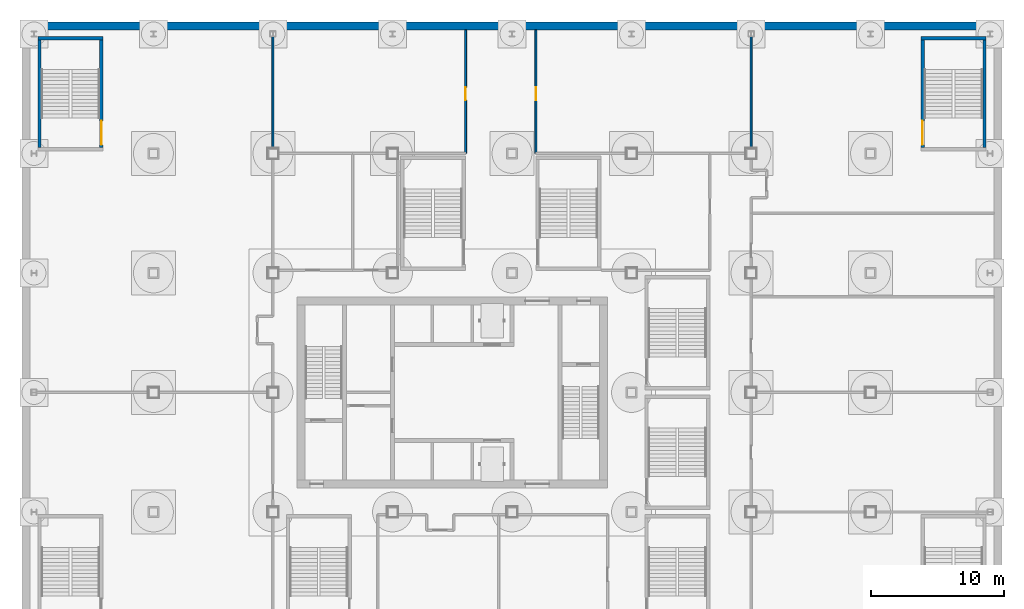
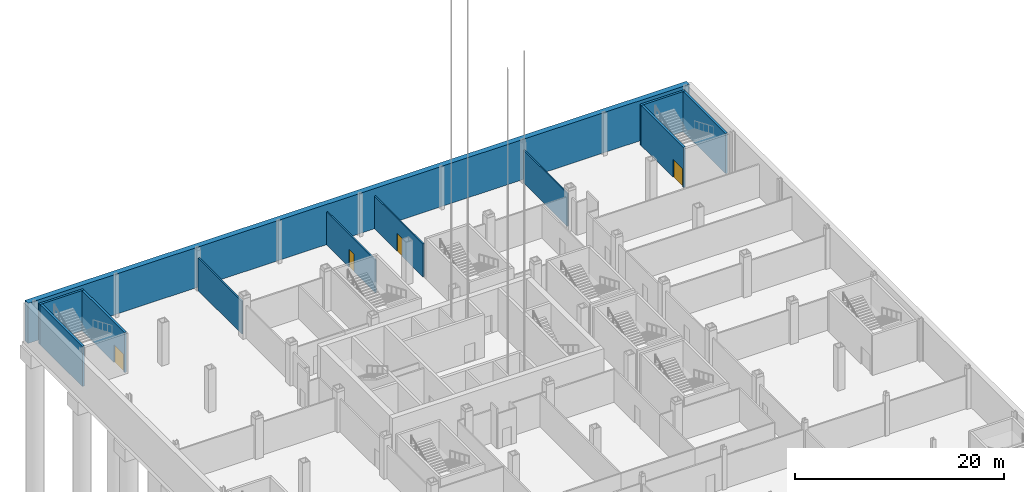
# One storey, part 12 of 28: 11 walls, 4 doors, 4 openings.
"""IFC4 building model written with IfcOpenShell, lengths in metres."""

from ifc_helpers import new_model, si_unit, direction, frame, frame_2d, origin, place, context, subcontext, project, spatial, rectangle, extrude, material, layer, layer_set, type_object, element, fill, save


model = new_model("IFC4")

# Units and contexts
model_context = context("Model", 3, precision=1e-05, world=origin(), true_north=direction((0.0, 1.0)))
body_context = subcontext(model_context, "Body", "Model", "MODEL_VIEW")
ifc_project = project(units=[si_unit("LENGTHUNIT", "METRE"), si_unit("AREAUNIT", "SQUARE_METRE"), si_unit("VOLUMEUNIT", "CUBIC_METRE"), si_unit("PLANEANGLEUNIT", "RADIAN"), si_unit("MASSUNIT", "GRAM", prefix="KILO")], contexts=[model_context])

# Site, building, storey
site_placement = place(None, origin())
site = spatial("IfcSite", under=ifc_project, at=site_placement, CompositionType="ELEMENT")
building_placement = place(site_placement, origin())
building = spatial("IfcBuilding", under=site, at=building_placement, Name="Loomwork Tower", CompositionType="ELEMENT")
storey_placement = place(building_placement, frame((0.0, 0.0, -10.5)))
storey = spatial("IfcBuildingStorey", under=building, at=storey_placement, Name="B2", CompositionType="ELEMENT", Elevation=-10.5)

# Walls
ifc_material_1 = material(Name="Concrete 6000 psi (41 MPa)", Category="concrete")
ifc_layer_1 = layer(ifc_material_1, 0.60009765625)
ifc_layer_set_1 = layer_set([ifc_layer_1], Name="Basement retaining wall 600")
wall_type_1 = type_object("IfcWallType", Name="Basement retaining wall 600", PredefinedType="SOLIDWALL", material=ifc_layer_set_1)
wall_1_placement = place(storey_placement, frame((63.60009765625, 45.60009765625, 0.0), z_axis=(0.0, 0.0, 1.0), x_axis=(-1.0, 0.0, 0.0)))
element("IfcWall", 1, at=wall_1_placement, inside=storey, type_object=wall_type_1, Name="Basement retaining wall N", PredefinedType="SOLIDWALL", context=body_context, shape_type="SweptSolid", body=[
    extrude(rectangle(XDim=73.2001953125, YDim=0.60009765625, at=frame_2d((36.60009765625, 0.0))), origin(), (0.0, 0.0, 1.0), 4.699951171875),
])
ifc_material_2 = material(Name="Gypsum board on steel studs, one-hour", Category="steel")
ifc_layer_2 = layer(ifc_material_2, 0.14990234375)
ifc_layer_set_2 = layer_set([ifc_layer_2], Name="Partition 150")
wall_type_2 = type_object("IfcWallType", Name="Partition 150", PredefinedType="PARTITIONING", material=ifc_layer_set_2)
wall_2_placement = place(storey_placement, frame((9.0, 44.800537109375, 0.0), z_axis=(0.0, 0.0, 1.0), x_axis=(0.0, -1.0, 0.0)))
element("IfcWall", 2, at=wall_2_placement, inside=storey, type_object=wall_type_2, Name="Partition B2 16.1", PredefinedType="PARTITIONING", context=body_context, shape_type="SweptSolid", body=[
    extrude(rectangle(XDim=8.400634765625, YDim=0.14990234375, at=frame_2d((4.2001953125, 0.0))), origin(), (0.0, 0.0, 1.0), 3.841552734375),
])

# Wall, opening, door
wall_3_placement = place(storey_placement, frame((23.5, 45.300048828125, 0.0), z_axis=(0.0, 0.0, 1.0), x_axis=(0.0, -1.0, 0.0)))
wall_3 = element("IfcWall", 3, at=wall_3_placement, inside=storey, type_object=wall_type_2, Name="Partition B2 28.1", PredefinedType="PARTITIONING", context=body_context, shape_type="SweptSolid", body=[
    extrude(rectangle(XDim=9.300048828125, YDim=0.14990234375, at=frame_2d((4.64990234375, 0.0))), origin(), (0.0, 0.0, 1.0), 3.841064453125),
])
opening_1_placement = place(wall_3_placement, frame((4.300048828125, 0.0, 0.0)))
opening_1 = element("IfcOpeningElement", 4, at=opening_1_placement, cuts=wall_3, Name="Opening D7", PredefinedType="OPENING", context=body_context, shape_type="SweptSolid", body=[
    extrude(rectangle(XDim=1.0, YDim=2.10009765625, at=frame_2d((0.5, 1.050048828125))), frame((0.0, 0.0849609375, 0.0), z_axis=(0.0, -1.0, 0.0), x_axis=(1.0, 0.0, 0.0)), (0.0, 0.0, 1.0), 0.169921875),
])
ifc_material_3 = material(Name="Hollow metal door and frame")
door_type_1 = type_object("IfcDoorType", Name="Room door 1000", OperationType="SINGLE_SWING_LEFT", PredefinedType="DOOR", material=ifc_material_3)
door_1_placement = place(opening_1_placement, frame((1.0, 0.0, 0.0), z_axis=(0.0, 0.0, 1.0), x_axis=(-1.0, 0.0, 0.0)))
door_1 = element("IfcDoor", 5, at=door_1_placement, inside=storey, type_object=door_type_1, Name="Staff rest room door", OperationType="SINGLE_SWING_LEFT", OverallHeight=2.10009765625, OverallWidth=1.0, PredefinedType="DOOR", context=body_context, shape_type="SweptSolid", body=[
    extrude(rectangle(XDim=1.0, YDim=2.10009765625, at=frame_2d((0.5, 1.050048828125))), frame((0.0, 0.02490234375, 0.0), z_axis=(0.0, -1.0, 0.0), x_axis=(1.0, 0.0, 0.0)), (0.0, 0.0, 1.0), 0.050048828125),
])
fill(opening_1, door_1)

wall_4_placement = place(storey_placement, frame((28.800048828125, 36.0, 0.0), z_axis=(0.0, 0.0, 1.0), x_axis=(0.0, 1.0, 0.0)))
wall_4 = element("IfcWall", 6, at=wall_4_placement, inside=storey, type_object=wall_type_2, Name="Partition B2 35.1", PredefinedType="PARTITIONING", context=body_context, shape_type="SweptSolid", body=[
    extrude(rectangle(XDim=9.300048828125, YDim=0.14990234375, at=frame_2d((4.64990234375, 0.0))), origin(), (0.0, 0.0, 1.0), 3.841064453125),
])
opening_2_placement = place(wall_4_placement, frame((4.0, 0.0, 0.0)))
opening_2 = element("IfcOpeningElement", 7, at=opening_2_placement, cuts=wall_4, Name="Opening D7", PredefinedType="OPENING", context=body_context, shape_type="SweptSolid", body=[
    extrude(rectangle(XDim=1.0, YDim=2.10009765625, at=frame_2d((0.5, 1.050048828125))), frame((0.0, 0.0849609375, 0.0), z_axis=(0.0, -1.0, 0.0), x_axis=(1.0, 0.0, 0.0)), (0.0, 0.0, 1.0), 0.169921875),
])
door_2_placement = place(opening_2_placement, frame((1.0, 0.0, 0.0), z_axis=(0.0, 0.0, 1.0), x_axis=(-1.0, 0.0, 0.0)))
door_2 = element("IfcDoor", 8, at=door_2_placement, inside=storey, type_object=door_type_1, Name="Human resources office door", OperationType="SINGLE_SWING_RIGHT", OverallHeight=2.10009765625, OverallWidth=1.0, PredefinedType="DOOR", context=body_context, shape_type="SweptSolid", body=[
    extrude(rectangle(XDim=1.0, YDim=2.10009765625, at=frame_2d((0.5, 1.050048828125))), frame((0.0, 0.02490234375, 0.0), z_axis=(0.0, -1.0, 0.0), x_axis=(1.0, 0.0, 0.0)), (0.0, 0.0, 1.0), 0.050048828125),
])
fill(opening_2, door_2)

# Walls
wall_5_placement = place(storey_placement, frame((45.0, 36.39990234375, 0.0), z_axis=(0.0, 0.0, 1.0), x_axis=(0.0, 1.0, 0.0)))
element("IfcWall", 9, at=wall_5_placement, inside=storey, type_object=wall_type_2, Name="Partition B2 55.1", PredefinedType="PARTITIONING", context=body_context, shape_type="SweptSolid", body=[
    extrude(rectangle(XDim=8.400634765625, YDim=0.14990234375, at=frame_2d((4.2001953125, 0.0))), origin(), (0.0, 0.0, 1.0), 3.841552734375),
])
ifc_material_4 = material(Name="Concrete masonry, two-hour", Category="masonry")
ifc_layer_3 = layer(ifc_material_4, 0.25)
ifc_layer_set_3 = layer_set([ifc_layer_3], Name="Stair enclosure wall 250")
wall_type_3 = type_object("IfcWallType", Name="Stair enclosure wall 250", PredefinedType="SOLIDWALL", material=ifc_layer_set_3)
wall_6_placement = place(storey_placement, frame((-8.699951171875, 44.675048828125, 0.0), z_axis=(0.0, 0.0, 1.0), x_axis=(1.0, 0.0, 0.0)))
element("IfcWall", 10, at=wall_6_placement, inside=storey, type_object=wall_type_3, Name="Stair PS3 enclosure wall N B2", PredefinedType="SOLIDWALL", context=body_context, shape_type="SweptSolid", body=[
    extrude(rectangle(XDim=4.89990234375, YDim=0.25, at=frame_2d((2.449951171875, 0.0))), origin(), (0.0, 0.0, 1.0), 4.699951171875),
])
wall_7_placement = place(storey_placement, frame((-8.574951171875, 36.449951171875, 0.0), z_axis=(0.0, 0.0, 1.0), x_axis=(0.0, 1.0, 0.0)))
element("IfcWall", 11, at=wall_7_placement, inside=storey, type_object=wall_type_3, Name="Stair PS3 enclosure wall W B2", PredefinedType="SOLIDWALL", context=body_context, shape_type="SweptSolid", body=[
    extrude(rectangle(XDim=8.10009765625, YDim=0.25, at=frame_2d((4.050048828125, 0.0))), origin(), (0.0, 0.0, 1.0), 4.699951171875),
])

# Wall, opening, door
wall_8_placement = place(storey_placement, frame((-3.925048828125, 36.449951171875, 0.0), z_axis=(0.0, 0.0, 1.0), x_axis=(0.0, 1.0, 0.0)))
wall_8 = element("IfcWall", 12, at=wall_8_placement, inside=storey, type_object=wall_type_3, Name="Stair PS3 enclosure wall E B2", PredefinedType="SOLIDWALL", context=body_context, shape_type="SweptSolid", body=[
    extrude(rectangle(XDim=8.10009765625, YDim=0.25, at=frame_2d((4.050048828125, 0.0))), origin(), (0.0, 0.0, 1.0), 4.699951171875),
])
opening_3_placement = place(wall_8_placement, frame((0.199951171875, 0.0, 0.0)))
opening_3 = element("IfcOpeningElement", 13, at=opening_3_placement, cuts=wall_8, Name="Opening D14", PredefinedType="OPENING", context=body_context, shape_type="SweptSolid", body=[
    extrude(rectangle(XDim=1.800048828125, YDim=2.10009765625, at=frame_2d((0.89990234375, 1.050048828125))), frame((0.0, 0.135009765625, 0.0), z_axis=(0.0, -1.0, 0.0), x_axis=(1.0, 0.0, 0.0)), (0.0, 0.0, 1.0), 0.27001953125),
])
ifc_material_5 = material(Name="Hollow metal door and frame")
door_type_2 = type_object("IfcDoorType", Name="Stair double door 1800", OperationType="DOUBLE_DOOR_SINGLE_SWING", PredefinedType="DOOR", material=ifc_material_5)
door_3_placement = place(opening_3_placement, origin())
door_3 = element("IfcDoor", 14, at=door_3_placement, inside=storey, type_object=door_type_2, Name="Stair PS3 door B2", OperationType="DOUBLE_DOOR_SINGLE_SWING", OverallHeight=2.10009765625, OverallWidth=1.800048828125, PredefinedType="DOOR", context=body_context, shape_type="SweptSolid", body=[
    extrude(rectangle(XDim=1.800048828125, YDim=2.10009765625, at=frame_2d((0.89990234375, 1.050048828125))), frame((0.0, 0.02490234375, 0.0), z_axis=(0.0, -1.0, 0.0), x_axis=(1.0, 0.0, 0.0)), (0.0, 0.0, 1.0), 0.050048828125),
])
fill(opening_3, door_3)

# Wall
wall_9_placement = place(storey_placement, frame((57.800048828125, 44.675048828125, 0.0), z_axis=(0.0, 0.0, 1.0), x_axis=(1.0, 0.0, 0.0)))
element("IfcWall", 15, at=wall_9_placement, inside=storey, type_object=wall_type_3, Name="Stair PS4 enclosure wall N B2", PredefinedType="SOLIDWALL", context=body_context, shape_type="SweptSolid", body=[
    extrude(rectangle(XDim=4.89990234375, YDim=0.25, at=frame_2d((2.449951171875, 0.0))), origin(), (0.0, 0.0, 1.0), 4.699951171875),
])

# Wall, opening, door
wall_10_placement = place(storey_placement, frame((57.925048828125, 36.449951171875, 0.0), z_axis=(0.0, 0.0, 1.0), x_axis=(0.0, 1.0, 0.0)))
wall_10 = element("IfcWall", 16, at=wall_10_placement, inside=storey, type_object=wall_type_3, Name="Stair PS4 enclosure wall W B2", PredefinedType="SOLIDWALL", context=body_context, shape_type="SweptSolid", body=[
    extrude(rectangle(XDim=8.10009765625, YDim=0.25, at=frame_2d((4.050048828125, 0.0))), origin(), (0.0, 0.0, 1.0), 4.699951171875),
])
opening_4_placement = place(wall_10_placement, frame((0.199951171875, 0.0, 0.0)))
opening_4 = element("IfcOpeningElement", 17, at=opening_4_placement, cuts=wall_10, Name="Opening D14", PredefinedType="OPENING", context=body_context, shape_type="SweptSolid", body=[
    extrude(rectangle(XDim=1.800048828125, YDim=2.10009765625, at=frame_2d((0.89990234375, 1.050048828125))), frame((0.0, 0.135009765625, 0.0), z_axis=(0.0, -1.0, 0.0), x_axis=(1.0, 0.0, 0.0)), (0.0, 0.0, 1.0), 0.27001953125),
])
door_4_placement = place(opening_4_placement, frame((1.800048828125, 0.0, 0.0), z_axis=(0.0, 0.0, 1.0), x_axis=(-1.0, 0.0, 0.0)))
door_4 = element("IfcDoor", 18, at=door_4_placement, inside=storey, type_object=door_type_2, Name="Stair PS4 door B2", OperationType="DOUBLE_DOOR_SINGLE_SWING", OverallHeight=2.10009765625, OverallWidth=1.800048828125, PredefinedType="DOOR", context=body_context, shape_type="SweptSolid", body=[
    extrude(rectangle(XDim=1.800048828125, YDim=2.10009765625, at=frame_2d((0.89990234375, 1.050048828125))), frame((0.0, 0.02490234375, 0.0), z_axis=(0.0, -1.0, 0.0), x_axis=(1.0, 0.0, 0.0)), (0.0, 0.0, 1.0), 0.050048828125),
])
fill(opening_4, door_4)

# Wall
wall_11_placement = place(storey_placement, frame((62.574951171875, 36.449951171875, 0.0), z_axis=(0.0, 0.0, 1.0), x_axis=(0.0, 1.0, 0.0)))
element("IfcWall", 19, at=wall_11_placement, inside=storey, type_object=wall_type_3, Name="Stair PS4 enclosure wall E B2", PredefinedType="SOLIDWALL", context=body_context, shape_type="SweptSolid", body=[
    extrude(rectangle(XDim=8.10009765625, YDim=0.25, at=frame_2d((4.050048828125, 0.0))), origin(), (0.0, 0.0, 1.0), 4.699951171875),
])

save(model, "model.ifc")
